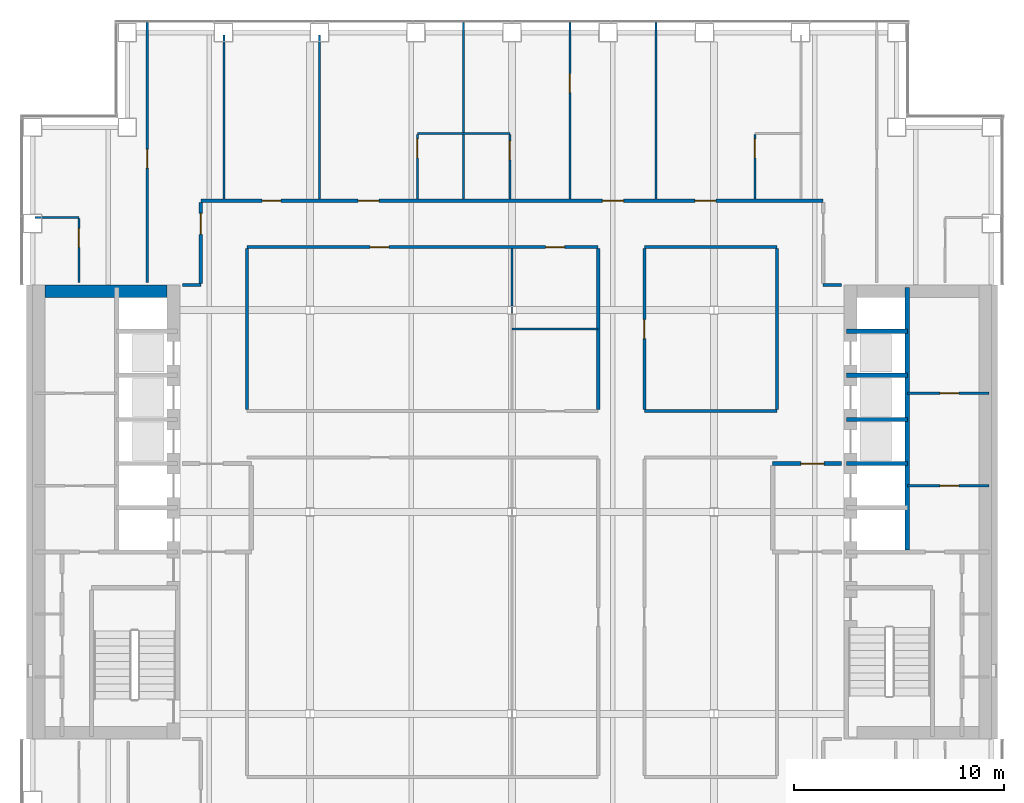
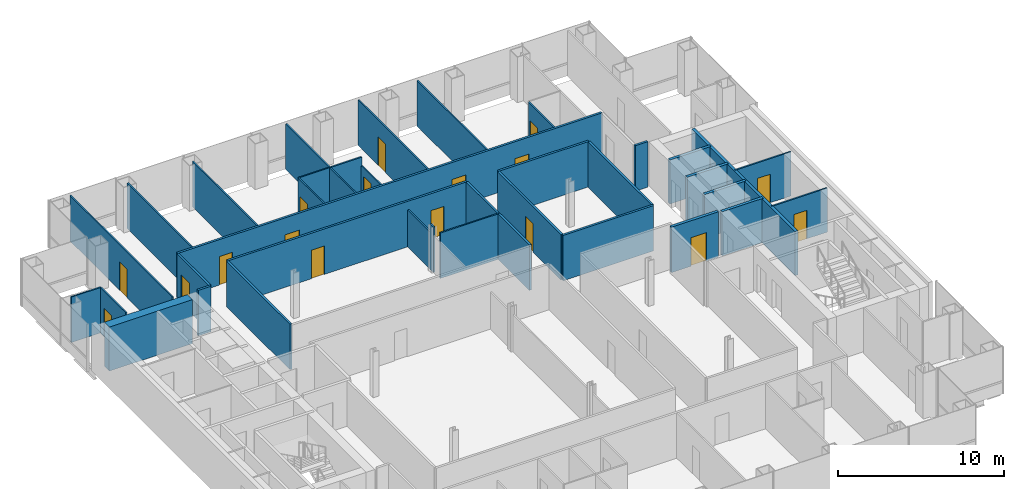
# One storey, part 13 of 16: 36 walls, 17 doors, 17 openings.
"""IFC4 building model written with IfcOpenShell, lengths in metres."""

from ifc_helpers import new_model, si_unit, direction, frame, frame_2d, origin, place, context, subcontext, project, spatial, rectangle, extrude, material, layer, layer_set, type_object, element, fill, save


model = new_model("IFC4")

# Units and contexts
model_context = context("Model", 3, precision=1e-05, world=origin(), true_north=direction((0.0, 1.0)))
body_context = subcontext(model_context, "Body", "Model", "MODEL_VIEW")
ifc_project = project(units=[si_unit("LENGTHUNIT", "METRE"), si_unit("AREAUNIT", "SQUARE_METRE"), si_unit("VOLUMEUNIT", "CUBIC_METRE"), si_unit("PLANEANGLEUNIT", "RADIAN"), si_unit("MASSUNIT", "GRAM", prefix="KILO")], contexts=[model_context])

# Site, building, storey
site_placement = place(None, origin())
site = spatial("IfcSite", under=ifc_project, at=site_placement, CompositionType="ELEMENT")
building_placement = place(site_placement, origin())
building = spatial("IfcBuilding", under=site, at=building_placement, Name="Cobrizo Arcos Hotel Tower", CompositionType="ELEMENT")
storey_placement = place(building_placement, frame((0.0, 0.0, 113.5)))
storey = spatial("IfcBuildingStorey", under=building, at=storey_placement, Name="L28", CompositionType="ELEMENT", Elevation=113.5)

# Walls
ifc_material_1 = material(Name="Gypsum board partition")
ifc_layer_1 = layer(ifc_material_1, 0.14990234375)
ifc_layer_set_1 = layer_set([ifc_layer_1], Name="Corridor wall EI 60 150")
wall_type_1 = type_object("IfcWallType", Name="Corridor wall EI 60 150", PredefinedType="PARTITIONING", material=ifc_layer_set_1)
wall_1_placement = place(storey_placement, frame((6.300048828125, 4.800048828125, 0.0), z_axis=(0.0, 0.0, 1.0), x_axis=(1.0, 0.0, 0.0)))
element("IfcWall", 1, at=wall_1_placement, inside=storey, type_object=wall_type_1, Name="Partition 033", PredefinedType="PARTITIONING", context=body_context, shape_type="SweptSolid", body=[
    extrude(rectangle(XDim=6.300048828125, YDim=0.14990234375, at=frame_2d((3.14990234375, 0.0))), origin(), (0.0, 0.0, 1.0), 3.35009765625),
])
for number, where, z_axis, x_axis, name in (
    (2, (-15.679931640625, 10.800048828125, 0.0), (0.0, 0.0, 1.0), (1.0, 0.0, 0.0), "Partition 041"),
    (3, (14.800048828125, 10.800048828125, 0.0), (0.0, 0.0, 1.0), (1.0, 0.0, 0.0), "Partition 042"),
):
    element("IfcWall", number, at=place(storey_placement, frame(where, z_axis=z_axis, x_axis=x_axis)), inside=storey, type_object=wall_type_1, Name=name, PredefinedType="PARTITIONING", context=body_context, shape_type="SweptSolid", body=[
        extrude(rectangle(XDim=0.8798828125, YDim=0.14990234375, at=frame_2d((0.43994140625, 0.0))), origin(), (0.0, 0.0, 1.0), 3.35009765625),
    ])

# Wall, openings, doors
wall_2_placement = place(storey_placement, frame((-12.60009765625, 12.60009765625, 0.0), z_axis=(0.0, 0.0, 1.0), x_axis=(1.0, 0.0, 0.0)))
wall_2 = element("IfcWall", 4, at=wall_2_placement, inside=storey, type_object=wall_type_1, Name="Partition 043", PredefinedType="PARTITIONING", context=body_context, shape_type="SweptSolid", body=[
    extrude(rectangle(XDim=16.7001953125, YDim=0.14990234375, at=frame_2d((8.35009765625, 0.0))), origin(), (0.0, 0.0, 1.0), 3.35009765625),
])
opening_1_placement = place(wall_2_placement, frame((14.199951171875, 0.0, 0.0)))
opening_1 = element("IfcOpeningElement", 5, at=opening_1_placement, cuts=wall_2, Name="Opening ED-14", PredefinedType="OPENING", context=body_context, shape_type="SweptSolid", body=[
    extrude(rectangle(XDim=0.89990234375, YDim=2.10009765625, at=frame_2d((0.449951171875, 1.050048828125))), frame((0.0, 0.0869140625, 0.0), z_axis=(0.0, -1.0, 0.0), x_axis=(1.0, 0.0, 0.0)), (0.0, 0.0, 1.0), 0.173828125),
])
opening_2_placement = place(wall_2_placement, frame((5.85009765625, 0.0, 0.0)))
opening_2 = element("IfcOpeningElement", 6, at=opening_2_placement, cuts=wall_2, Name="Opening RD-22", PredefinedType="OPENING", context=body_context, shape_type="SweptSolid", body=[
    extrude(rectangle(XDim=0.89990234375, YDim=2.10009765625, at=frame_2d((0.449951171875, 1.050048828125))), frame((0.0, 0.0869140625, 0.0), z_axis=(0.0, -1.0, 0.0), x_axis=(1.0, 0.0, 0.0)), (0.0, 0.0, 1.0), 0.173828125),
])
ifc_material_2 = material(Name="Timber door leaf", Category="wood")
door_type_1 = type_object("IfcDoorType", Name="En-suite door 900x2100", OperationType="SINGLE_SWING_LEFT", PredefinedType="DOOR", material=ifc_material_2)
door_1_placement = place(opening_1_placement, origin())
door_1 = element("IfcDoor", 7, at=door_1_placement, inside=storey, type_object=door_type_1, Name="Door ED-14", OperationType="SINGLE_SWING_LEFT", OverallHeight=2.10009765625, OverallWidth=0.89990234375, PredefinedType="DOOR", context=body_context, shape_type="SweptSolid", body=[
    extrude(rectangle(XDim=0.89990234375, YDim=2.10009765625, at=frame_2d((0.449951171875, 1.050048828125))), frame((0.0, 0.02490234375, 0.0), z_axis=(0.0, -1.0, 0.0), x_axis=(1.0, 0.0, 0.0)), (0.0, 0.0, 1.0), 0.050048828125),
])
fill(opening_1, door_1)
door_type_2 = type_object("IfcDoorType", Name="Room door FD30 900x2100", OperationType="SINGLE_SWING_LEFT", PredefinedType="DOOR", material=ifc_material_2)
door_2_placement = place(opening_2_placement, origin())
door_2 = element("IfcDoor", 8, at=door_2_placement, inside=storey, type_object=door_type_2, Name="Door RD-22", OperationType="SINGLE_SWING_RIGHT", OverallHeight=2.10009765625, OverallWidth=0.89990234375, PredefinedType="DOOR", context=body_context, shape_type="SweptSolid", body=[
    extrude(rectangle(XDim=0.89990234375, YDim=2.10009765625, at=frame_2d((0.449951171875, 1.050048828125))), frame((0.0, 0.02490234375, 0.0), z_axis=(0.0, -1.0, 0.0), x_axis=(1.0, 0.0, 0.0)), (0.0, 0.0, 1.0), 0.050048828125),
])
fill(opening_2, door_2)

# Wall
wall_3_placement = place(storey_placement, frame((6.300048828125, 12.60009765625, 0.0), z_axis=(0.0, 0.0, 1.0), x_axis=(1.0, 0.0, 0.0)))
element("IfcWall", 9, at=wall_3_placement, inside=storey, type_object=wall_type_1, Name="Partition 044", PredefinedType="PARTITIONING", context=body_context, shape_type="SweptSolid", body=[
    extrude(rectangle(XDim=6.300048828125, YDim=0.14990234375, at=frame_2d((3.14990234375, 0.0))), origin(), (0.0, 0.0, 1.0), 3.35009765625),
])

# Wall, openings, doors
wall_4_placement = place(storey_placement, frame((-14.800048828125, 14.800048828125, 0.0), z_axis=(0.0, 0.0, 1.0), x_axis=(1.0, 0.0, 0.0)))
wall_4 = element("IfcWall", 10, at=wall_4_placement, inside=storey, type_object=wall_type_1, Name="Partition 047", PredefinedType="PARTITIONING", context=body_context, shape_type="SweptSolid", body=[
    extrude(rectangle(XDim=29.60009765625, YDim=0.14990234375, at=frame_2d((14.800048828125, 0.0))), origin(), (0.0, 0.0, 1.0), 3.35009765625),
])
opening_3_placement = place(wall_4_placement, frame((2.9130859375, 0.0, 0.0)))
opening_3 = element("IfcOpeningElement", 11, at=opening_3_placement, cuts=wall_4, Name="Opening RD-11", PredefinedType="OPENING", context=body_context, shape_type="SweptSolid", body=[
    extrude(rectangle(XDim=0.89990234375, YDim=2.10009765625, at=frame_2d((0.449951171875, 1.050048828125))), frame((0.0, 0.0869140625, 0.0), z_axis=(0.0, -1.0, 0.0), x_axis=(1.0, 0.0, 0.0)), (0.0, 0.0, 1.0), 0.173828125),
])
opening_4_placement = place(wall_4_placement, frame((7.48095703125, 0.0, 0.0)))
opening_4 = element("IfcOpeningElement", 12, at=opening_4_placement, cuts=wall_4, Name="Opening GD-01", PredefinedType="OPENING", context=body_context, shape_type="SweptSolid", body=[
    extrude(rectangle(XDim=1.0, YDim=2.10009765625, at=frame_2d((0.5, 1.050048828125))), frame((0.0, 0.0869140625, 0.0), z_axis=(0.0, -1.0, 0.0), x_axis=(1.0, 0.0, 0.0)), (0.0, 0.0, 1.0), 0.173828125),
])
opening_5_placement = place(wall_4_placement, frame((19.10400390625, 0.0, 0.0)))
opening_5 = element("IfcOpeningElement", 13, at=opening_5_placement, cuts=wall_4, Name="Opening GD-02", PredefinedType="OPENING", context=body_context, shape_type="SweptSolid", body=[
    extrude(rectangle(XDim=1.0, YDim=2.10009765625, at=frame_2d((0.5, 1.050048828125))), frame((0.0, 0.0869140625, 0.0), z_axis=(0.0, -1.0, 0.0), x_axis=(1.0, 0.0, 0.0)), (0.0, 0.0, 1.0), 0.173828125),
])
opening_6_placement = place(wall_4_placement, frame((23.493896484375, 0.0, 0.0)))
opening_6 = element("IfcOpeningElement", 14, at=opening_6_placement, cuts=wall_4, Name="Opening GD-03", PredefinedType="OPENING", context=body_context, shape_type="SweptSolid", body=[
    extrude(rectangle(XDim=1.0, YDim=2.10009765625, at=frame_2d((0.5, 1.050048828125))), frame((0.0, 0.0869140625, 0.0), z_axis=(0.0, -1.0, 0.0), x_axis=(1.0, 0.0, 0.0)), (0.0, 0.0, 1.0), 0.173828125),
])
door_type_3 = type_object("IfcDoorType", Name="Guest room door FD30S 1000x2100", OperationType="SINGLE_SWING_LEFT", PredefinedType="DOOR", material=ifc_material_2)
door_3_placement = place(opening_4_placement, origin())
door_3 = element("IfcDoor", 15, at=door_3_placement, inside=storey, type_object=door_type_3, Name="Door GD-01", OperationType="SINGLE_SWING_LEFT", OverallHeight=2.10009765625, OverallWidth=1.0, PredefinedType="DOOR", context=body_context, shape_type="SweptSolid", body=[
    extrude(rectangle(XDim=1.0, YDim=2.10009765625, at=frame_2d((0.5, 1.050048828125))), frame((0.0, 0.02490234375, 0.0), z_axis=(0.0, -1.0, 0.0), x_axis=(1.0, 0.0, 0.0)), (0.0, 0.0, 1.0), 0.050048828125),
])
fill(opening_4, door_3)
door_4_placement = place(opening_5_placement, origin())
door_4 = element("IfcDoor", 16, at=door_4_placement, inside=storey, type_object=door_type_3, Name="Door GD-02", OperationType="SINGLE_SWING_RIGHT", OverallHeight=2.10009765625, OverallWidth=1.0, PredefinedType="DOOR", context=body_context, shape_type="SweptSolid", body=[
    extrude(rectangle(XDim=1.0, YDim=2.10009765625, at=frame_2d((0.5, 1.050048828125))), frame((0.0, 0.02490234375, 0.0), z_axis=(0.0, -1.0, 0.0), x_axis=(1.0, 0.0, 0.0)), (0.0, 0.0, 1.0), 0.050048828125),
])
fill(opening_5, door_4)
door_5_placement = place(opening_6_placement, origin())
door_5 = element("IfcDoor", 17, at=door_5_placement, inside=storey, type_object=door_type_3, Name="Door GD-03", OperationType="SINGLE_SWING_RIGHT", OverallHeight=2.10009765625, OverallWidth=1.0, PredefinedType="DOOR", context=body_context, shape_type="SweptSolid", body=[
    extrude(rectangle(XDim=1.0, YDim=2.10009765625, at=frame_2d((0.5, 1.050048828125))), frame((0.0, 0.02490234375, 0.0), z_axis=(0.0, -1.0, 0.0), x_axis=(1.0, 0.0, 0.0)), (0.0, 0.0, 1.0), 0.050048828125),
])
fill(opening_6, door_5)
door_6_placement = place(opening_3_placement, origin())
door_6 = element("IfcDoor", 18, at=door_6_placement, inside=storey, type_object=door_type_2, Name="Door RD-11", OperationType="SINGLE_SWING_RIGHT", OverallHeight=2.10009765625, OverallWidth=0.89990234375, PredefinedType="DOOR", context=body_context, shape_type="SweptSolid", body=[
    extrude(rectangle(XDim=0.89990234375, YDim=2.10009765625, at=frame_2d((0.449951171875, 1.050048828125))), frame((0.0, 0.02490234375, 0.0), z_axis=(0.0, -1.0, 0.0), x_axis=(1.0, 0.0, 0.0)), (0.0, 0.0, 1.0), 0.050048828125),
])
fill(opening_3, door_6)

# Wall, opening, door
wall_5_placement = place(storey_placement, frame((-14.800048828125, 10.875, 0.0), z_axis=(0.0, 0.0, 1.0), x_axis=(0.0, 1.0, 0.0)))
wall_5 = element("IfcWall", 19, at=wall_5_placement, inside=storey, type_object=wall_type_1, Name="Partition 058", PredefinedType="PARTITIONING", context=body_context, shape_type="SweptSolid", body=[
    extrude(rectangle(XDim=3.85009765625, YDim=0.14990234375, at=frame_2d((1.925048828125, 0.0))), origin(), (0.0, 0.0, 1.0), 3.35009765625),
])
opening_7_placement = place(wall_5_placement, frame((2.324951171875, 0.0, 0.0)))
opening_7 = element("IfcOpeningElement", 20, at=opening_7_placement, cuts=wall_5, Name="Opening GD-08", PredefinedType="OPENING", context=body_context, shape_type="SweptSolid", body=[
    extrude(rectangle(XDim=1.0, YDim=2.10009765625, at=frame_2d((0.5, 1.050048828125))), frame((0.0, 0.0869140625, 0.0), z_axis=(0.0, -1.0, 0.0), x_axis=(1.0, 0.0, 0.0)), (0.0, 0.0, 1.0), 0.173828125),
])
door_7_placement = place(opening_7_placement, origin())
door_7 = element("IfcDoor", 21, at=door_7_placement, inside=storey, type_object=door_type_3, Name="Door GD-08", OperationType="SINGLE_SWING_LEFT", OverallHeight=2.10009765625, OverallWidth=1.0, PredefinedType="DOOR", context=body_context, shape_type="SweptSolid", body=[
    extrude(rectangle(XDim=1.0, YDim=2.10009765625, at=frame_2d((0.5, 1.050048828125))), frame((0.0, 0.02490234375, 0.0), z_axis=(0.0, -1.0, 0.0), x_axis=(1.0, 0.0, 0.0)), (0.0, 0.0, 1.0), 0.050048828125),
])
fill(opening_7, door_7)

# Walls
for number, where, z_axis, x_axis, name in (
    (22, (-12.60009765625, 4.875, 0.0), (0.0, 0.0, 1.0), (0.0, 1.0, 0.0), "Partition 062"),
    (23, (4.10009765625, 4.875, 0.0), (0.0, 0.0, 1.0), (0.0, 1.0, 0.0), "Partition 086"),
):
    element("IfcWall", number, at=place(storey_placement, frame(where, z_axis=z_axis, x_axis=x_axis)), inside=storey, type_object=wall_type_1, Name=name, PredefinedType="PARTITIONING", context=body_context, shape_type="SweptSolid", body=[
        extrude(rectangle(XDim=7.64990234375, YDim=0.14990234375, at=frame_2d((3.824951171875, 0.0))), origin(), (0.0, 0.0, 1.0), 3.35009765625),
    ])

# Wall, opening, door
wall_6_placement = place(storey_placement, frame((6.300048828125, 4.875, 0.0), z_axis=(0.0, 0.0, 1.0), x_axis=(0.0, 1.0, 0.0)))
wall_6 = element("IfcWall", 24, at=wall_6_placement, inside=storey, type_object=wall_type_1, Name="Partition 088", PredefinedType="PARTITIONING", context=body_context, shape_type="SweptSolid", body=[
    extrude(rectangle(XDim=7.64990234375, YDim=0.14990234375, at=frame_2d((3.824951171875, 0.0))), origin(), (0.0, 0.0, 1.0), 3.35009765625),
])
opening_8_placement = place(wall_6_placement, frame((3.375, 0.0, 0.0)))
opening_8 = element("IfcOpeningElement", 25, at=opening_8_placement, cuts=wall_6, Name="Opening RD-19", PredefinedType="OPENING", context=body_context, shape_type="SweptSolid", body=[
    extrude(rectangle(XDim=0.89990234375, YDim=2.10009765625, at=frame_2d((0.449951171875, 1.050048828125))), frame((0.0, 0.0869140625, 0.0), z_axis=(0.0, -1.0, 0.0), x_axis=(1.0, 0.0, 0.0)), (0.0, 0.0, 1.0), 0.173828125),
])
door_8_placement = place(opening_8_placement, origin())
door_8 = element("IfcDoor", 26, at=door_8_placement, inside=storey, type_object=door_type_2, Name="Door RD-19", OperationType="SINGLE_SWING_RIGHT", OverallHeight=2.10009765625, OverallWidth=0.89990234375, PredefinedType="DOOR", context=body_context, shape_type="SweptSolid", body=[
    extrude(rectangle(XDim=0.89990234375, YDim=2.10009765625, at=frame_2d((0.449951171875, 1.050048828125))), frame((0.0, 0.02490234375, 0.0), z_axis=(0.0, -1.0, 0.0), x_axis=(1.0, 0.0, 0.0)), (0.0, 0.0, 1.0), 0.050048828125),
])
fill(opening_8, door_8)

# Wall
wall_7_placement = place(storey_placement, frame((12.60009765625, 4.875, 0.0), z_axis=(0.0, 0.0, 1.0), x_axis=(0.0, 1.0, 0.0)))
element("IfcWall", 27, at=wall_7_placement, inside=storey, type_object=wall_type_1, Name="Partition 095", PredefinedType="PARTITIONING", context=body_context, shape_type="SweptSolid", body=[
    extrude(rectangle(XDim=7.64990234375, YDim=0.14990234375, at=frame_2d((3.824951171875, 0.0))), origin(), (0.0, 0.0, 1.0), 3.35009765625),
])

# Wall, opening, door
ifc_layer_2 = layer(ifc_material_1, 0.10009765625)
ifc_layer_set_2 = layer_set([ifc_layer_2], Name="Partition EI 30 100")
wall_type_2 = type_object("IfcWallType", Name="Partition EI 30 100", PredefinedType="PARTITIONING", material=ifc_layer_set_2)
wall_8_placement = place(storey_placement, frame((18.800048828125, 1.25, 0.0), z_axis=(0.0, 0.0, 1.0), x_axis=(1.0, 0.0, 0.0)))
wall_8 = element("IfcWall", 28, at=wall_8_placement, inside=storey, type_object=wall_type_2, Name="Partition 023", PredefinedType="PARTITIONING", context=body_context, shape_type="SweptSolid", body=[
    extrude(rectangle(XDim=3.8798828125, YDim=0.10009765625, at=frame_2d((1.93994140625, 0.0))), origin(), (0.0, 0.0, 1.0), 3.25),
])
opening_9_placement = place(wall_8_placement, frame((1.550048828125, 0.0, 0.0)))
opening_9 = element("IfcOpeningElement", 29, at=opening_9_placement, cuts=wall_8, Name="Opening RD-09", PredefinedType="OPENING", context=body_context, shape_type="SweptSolid", body=[
    extrude(rectangle(XDim=0.89990234375, YDim=2.10009765625, at=frame_2d((0.449951171875, 1.050048828125))), frame((0.0, 0.06201171875, 0.0), z_axis=(0.0, -1.0, 0.0), x_axis=(1.0, 0.0, 0.0)), (0.0, 0.0, 1.0), 0.1240234375),
])
door_9_placement = place(opening_9_placement, origin())
door_9 = element("IfcDoor", 30, at=door_9_placement, inside=storey, type_object=door_type_2, Name="Door RD-09", OperationType="SINGLE_SWING_RIGHT", OverallHeight=2.10009765625, OverallWidth=0.89990234375, PredefinedType="DOOR", context=body_context, shape_type="SweptSolid", body=[
    extrude(rectangle(XDim=0.89990234375, YDim=2.10009765625, at=frame_2d((0.449951171875, 1.050048828125))), frame((0.0, 0.02490234375, 0.0), z_axis=(0.0, -1.0, 0.0), x_axis=(1.0, 0.0, 0.0)), (0.0, 0.0, 1.0), 0.050048828125),
])
fill(opening_9, door_9)

wall_9_placement = place(storey_placement, frame((18.800048828125, 5.64990234375, 0.0), z_axis=(0.0, 0.0, 1.0), x_axis=(1.0, 0.0, 0.0)))
wall_9 = element("IfcWall", 31, at=wall_9_placement, inside=storey, type_object=wall_type_2, Name="Partition 035", PredefinedType="PARTITIONING", context=body_context, shape_type="SweptSolid", body=[
    extrude(rectangle(XDim=3.8798828125, YDim=0.10009765625, at=frame_2d((1.93994140625, 0.0))), origin(), (0.0, 0.0, 1.0), 3.25),
])
opening_10_placement = place(wall_9_placement, frame((1.550048828125, 0.0, 0.0)))
opening_10 = element("IfcOpeningElement", 32, at=opening_10_placement, cuts=wall_9, Name="Opening RD-10", PredefinedType="OPENING", context=body_context, shape_type="SweptSolid", body=[
    extrude(rectangle(XDim=0.89990234375, YDim=2.10009765625, at=frame_2d((0.449951171875, 1.050048828125))), frame((0.0, 0.06201171875, 0.0), z_axis=(0.0, -1.0, 0.0), x_axis=(1.0, 0.0, 0.0)), (0.0, 0.0, 1.0), 0.1240234375),
])
door_10_placement = place(opening_10_placement, origin())
door_10 = element("IfcDoor", 33, at=door_10_placement, inside=storey, type_object=door_type_2, Name="Door RD-10", OperationType="SINGLE_SWING_LEFT", OverallHeight=2.10009765625, OverallWidth=0.89990234375, PredefinedType="DOOR", context=body_context, shape_type="SweptSolid", body=[
    extrude(rectangle(XDim=0.89990234375, YDim=2.10009765625, at=frame_2d((0.449951171875, 1.050048828125))), frame((0.0, 0.02490234375, 0.0), z_axis=(0.0, -1.0, 0.0), x_axis=(1.0, 0.0, 0.0)), (0.0, 0.0, 1.0), 0.050048828125),
])
fill(opening_10, door_10)

# Walls
wall_10_placement = place(storey_placement, frame((0.0, 8.699951171875, 0.0), z_axis=(0.0, 0.0, 1.0), x_axis=(1.0, 0.0, 0.0)))
element("IfcWall", 34, at=wall_10_placement, inside=storey, type_object=wall_type_2, Name="Partition 040", PredefinedType="PARTITIONING", context=body_context, shape_type="SweptSolid", body=[
    extrude(rectangle(XDim=4.10009765625, YDim=0.10009765625, at=frame_2d((2.050048828125, 0.0))), origin(), (0.0, 0.0, 1.0), 3.35009765625),
])
wall_11_placement = place(storey_placement, frame((-22.679931640625, 14.0, 0.0), z_axis=(0.0, 0.0, 1.0), x_axis=(1.0, 0.0, 0.0)))
element("IfcWall", 35, at=wall_11_placement, inside=storey, type_object=wall_type_2, Name="Partition 045", PredefinedType="PARTITIONING", context=body_context, shape_type="SweptSolid", body=[
    extrude(rectangle(XDim=2.079833984375, YDim=0.10009765625, at=frame_2d((1.0400390625, 0.0))), origin(), (0.0, 0.0, 1.0), 3.35009765625),
])
wall_12_placement = place(storey_placement, frame((-4.5, 18.0, 0.0), z_axis=(0.0, 0.0, 1.0), x_axis=(1.0, 0.0, 0.0)))
element("IfcWall", 36, at=wall_12_placement, inside=storey, type_object=wall_type_2, Name="Partition 048", PredefinedType="PARTITIONING", context=body_context, shape_type="SweptSolid", body=[
    extrude(rectangle(XDim=4.39990234375, YDim=0.10009765625, at=frame_2d((2.199951171875, 0.0))), origin(), (0.0, 0.0, 1.0), 3.35009765625),
])

# Wall, opening, door
wall_13_placement = place(storey_placement, frame((-20.60009765625, 10.919921875, 0.0), z_axis=(0.0, 0.0, 1.0), x_axis=(0.0, 1.0, 0.0)))
wall_13 = element("IfcWall", 37, at=wall_13_placement, inside=storey, type_object=wall_type_2, Name="Partition 052", PredefinedType="PARTITIONING", context=body_context, shape_type="SweptSolid", body=[
    extrude(rectangle(XDim=3.030029296875, YDim=0.10009765625, at=frame_2d((1.51513671875, 0.0))), origin(), (0.0, 0.0, 1.0), 3.35009765625),
])
opening_11_placement = place(wall_13_placement, frame((1.669921875, 0.0, 0.0)))
opening_11 = element("IfcOpeningElement", 38, at=opening_11_placement, cuts=wall_13, Name="Opening ED-10", PredefinedType="OPENING", context=body_context, shape_type="SweptSolid", body=[
    extrude(rectangle(XDim=0.89990234375, YDim=2.10009765625, at=frame_2d((0.449951171875, 1.050048828125))), frame((0.0, 0.06201171875, 0.0), z_axis=(0.0, -1.0, 0.0), x_axis=(1.0, 0.0, 0.0)), (0.0, 0.0, 1.0), 0.1240234375),
])
door_11_placement = place(opening_11_placement, origin())
door_11 = element("IfcDoor", 39, at=door_11_placement, inside=storey, type_object=door_type_1, Name="Door ED-10", OperationType="SINGLE_SWING_RIGHT", OverallHeight=2.10009765625, OverallWidth=0.89990234375, PredefinedType="DOOR", context=body_context, shape_type="SweptSolid", body=[
    extrude(rectangle(XDim=0.89990234375, YDim=2.10009765625, at=frame_2d((0.449951171875, 1.050048828125))), frame((0.0, 0.02490234375, 0.0), z_axis=(0.0, -1.0, 0.0), x_axis=(1.0, 0.0, 0.0)), (0.0, 0.0, 1.0), 0.050048828125),
])
fill(opening_11, door_11)

wall_14_placement = place(storey_placement, frame((-17.35009765625, 10.919921875, 0.0), z_axis=(0.0, 0.0, 1.0), x_axis=(0.0, 1.0, 0.0)))
wall_14 = element("IfcWall", 40, at=wall_14_placement, inside=storey, type_object=wall_type_2, Name="Partition 056", PredefinedType="PARTITIONING", context=body_context, shape_type="SweptSolid", body=[
    extrude(rectangle(XDim=12.360107421875, YDim=0.10009765625, at=frame_2d((6.18017578125, 0.0))), origin(), (0.0, 0.0, 1.0), 3.35009765625),
])
opening_12_placement = place(wall_14_placement, frame((5.429931640625, 0.0, 0.0)))
opening_12 = element("IfcOpeningElement", 41, at=opening_12_placement, cuts=wall_14, Name="Opening RD-16", PredefinedType="OPENING", context=body_context, shape_type="SweptSolid", body=[
    extrude(rectangle(XDim=0.89990234375, YDim=2.10009765625, at=frame_2d((0.449951171875, 1.050048828125))), frame((0.0, 0.06201171875, 0.0), z_axis=(0.0, -1.0, 0.0), x_axis=(1.0, 0.0, 0.0)), (0.0, 0.0, 1.0), 0.1240234375),
])
door_12_placement = place(opening_12_placement, origin())
door_12 = element("IfcDoor", 42, at=door_12_placement, inside=storey, type_object=door_type_2, Name="Door RD-16", OperationType="SINGLE_SWING_RIGHT", OverallHeight=2.10009765625, OverallWidth=0.89990234375, PredefinedType="DOOR", context=body_context, shape_type="SweptSolid", body=[
    extrude(rectangle(XDim=0.89990234375, YDim=2.10009765625, at=frame_2d((0.449951171875, 1.050048828125))), frame((0.0, 0.02490234375, 0.0), z_axis=(0.0, -1.0, 0.0), x_axis=(1.0, 0.0, 0.0)), (0.0, 0.0, 1.0), 0.050048828125),
])
fill(opening_12, door_12)

# Walls
for number, where, z_axis, x_axis, name in (
    (43, (-13.699951171875, 14.875, 0.0), (0.0, 0.0, 1.0), (0.0, 1.0, 0.0), "Partition 060"),
    (44, (-9.14990234375, 14.875, 0.0), (0.0, 0.0, 1.0), (0.0, 1.0, 0.0), "Partition 066"),
):
    element("IfcWall", number, at=place(storey_placement, frame(where, z_axis=z_axis, x_axis=x_axis)), inside=storey, type_object=wall_type_2, Name=name, PredefinedType="PARTITIONING", context=body_context, shape_type="SweptSolid", body=[
        extrude(rectangle(XDim=7.804931640625, YDim=0.10009765625, at=frame_2d((3.90234375, 0.0))), origin(), (0.0, 0.0, 1.0), 3.35009765625),
    ])

# Wall, opening, door
wall_15_placement = place(storey_placement, frame((-4.5, 14.875, 0.0), z_axis=(0.0, 0.0, 1.0), x_axis=(0.0, 1.0, 0.0)))
wall_15 = element("IfcWall", 45, at=wall_15_placement, inside=storey, type_object=wall_type_2, Name="Partition 070", PredefinedType="PARTITIONING", context=body_context, shape_type="SweptSolid", body=[
    extrude(rectangle(XDim=3.074951171875, YDim=0.10009765625, at=frame_2d((1.53759765625, 0.0))), origin(), (0.0, 0.0, 1.0), 3.35009765625),
])
opening_13_placement = place(wall_15_placement, frame((1.970947265625, 0.0, 0.0)))
opening_13 = element("IfcOpeningElement", 46, at=opening_13_placement, cuts=wall_15, Name="Opening ED-03", PredefinedType="OPENING", context=body_context, shape_type="SweptSolid", body=[
    extrude(rectangle(XDim=0.89990234375, YDim=2.10009765625, at=frame_2d((0.449951171875, 1.050048828125))), frame((0.0, 0.06201171875, 0.0), z_axis=(0.0, -1.0, 0.0), x_axis=(1.0, 0.0, 0.0)), (0.0, 0.0, 1.0), 0.1240234375),
])
door_13_placement = place(opening_13_placement, origin())
door_13 = element("IfcDoor", 47, at=door_13_placement, inside=storey, type_object=door_type_1, Name="Door ED-03", OperationType="SINGLE_SWING_LEFT", OverallHeight=2.10009765625, OverallWidth=0.89990234375, PredefinedType="DOOR", context=body_context, shape_type="SweptSolid", body=[
    extrude(rectangle(XDim=0.89990234375, YDim=2.10009765625, at=frame_2d((0.449951171875, 1.050048828125))), frame((0.0, 0.02490234375, 0.0), z_axis=(0.0, -1.0, 0.0), x_axis=(1.0, 0.0, 0.0)), (0.0, 0.0, 1.0), 0.050048828125),
])
fill(opening_13, door_13)

# Walls
wall_16_placement = place(storey_placement, frame((-2.300048828125, 14.875, 0.0), z_axis=(0.0, 0.0, 1.0), x_axis=(0.0, 1.0, 0.0)))
element("IfcWall", 48, at=wall_16_placement, inside=storey, type_object=wall_type_2, Name="Partition 072", PredefinedType="PARTITIONING", context=body_context, shape_type="SweptSolid", body=[
    extrude(rectangle(XDim=3.074951171875, YDim=0.10009765625, at=frame_2d((1.53759765625, 0.0))), origin(), (0.0, 0.0, 1.0), 3.35009765625),
])
wall_17_placement = place(storey_placement, frame((-2.300048828125, 18.050048828125, 0.0), z_axis=(0.0, 0.0, 1.0), x_axis=(0.0, 1.0, 0.0)))
element("IfcWall", 49, at=wall_17_placement, inside=storey, type_object=wall_type_2, Name="Partition 073", PredefinedType="PARTITIONING", context=body_context, shape_type="SweptSolid", body=[
    extrude(rectangle(XDim=5.22998046875, YDim=0.10009765625, at=frame_2d((2.614990234375, 0.0))), origin(), (0.0, 0.0, 1.0), 3.35009765625),
])

# Wall, opening, door
wall_18_placement = place(storey_placement, frame((-0.10009765625, 14.875, 0.0), z_axis=(0.0, 0.0, 1.0), x_axis=(0.0, 1.0, 0.0)))
wall_18 = element("IfcWall", 50, at=wall_18_placement, inside=storey, type_object=wall_type_2, Name="Partition 074", PredefinedType="PARTITIONING", context=body_context, shape_type="SweptSolid", body=[
    extrude(rectangle(XDim=3.074951171875, YDim=0.10009765625, at=frame_2d((1.53759765625, 0.0))), origin(), (0.0, 0.0, 1.0), 2.72802734375),
])
opening_14_placement = place(wall_18_placement, frame((1.875, 0.0, 0.0)))
opening_14 = element("IfcOpeningElement", 51, at=opening_14_placement, cuts=wall_18, Name="Opening ED-04", PredefinedType="OPENING", context=body_context, shape_type="SweptSolid", body=[
    extrude(rectangle(XDim=0.89990234375, YDim=2.10009765625, at=frame_2d((0.449951171875, 1.050048828125))), frame((0.0, 0.06201171875, 0.0), z_axis=(0.0, -1.0, 0.0), x_axis=(1.0, 0.0, 0.0)), (0.0, 0.0, 1.0), 0.1240234375),
])
door_14_placement = place(opening_14_placement, origin())
door_14 = element("IfcDoor", 52, at=door_14_placement, inside=storey, type_object=door_type_1, Name="Door ED-04", OperationType="SINGLE_SWING_LEFT", OverallHeight=2.10009765625, OverallWidth=0.89990234375, PredefinedType="DOOR", context=body_context, shape_type="SweptSolid", body=[
    extrude(rectangle(XDim=0.89990234375, YDim=2.10009765625, at=frame_2d((0.449951171875, 1.050048828125))), frame((0.0, 0.02490234375, 0.0), z_axis=(0.0, -1.0, 0.0), x_axis=(1.0, 0.0, 0.0)), (0.0, 0.0, 1.0), 0.050048828125),
])
fill(opening_14, door_14)

# Walls
wall_19_placement = place(storey_placement, frame((0.0, 9.40087890625, 0.0), z_axis=(0.0, 0.0, 1.0), x_axis=(0.0, 1.0, 0.0)))
element("IfcWall", 53, at=wall_19_placement, inside=storey, type_object=wall_type_2, Name="Partition 081", PredefinedType="PARTITIONING", context=body_context, shape_type="SweptSolid", body=[
    extrude(rectangle(XDim=0.398193359375, YDim=0.10009765625, at=frame_2d((0.19921875, 0.0))), origin(), (0.0, 0.0, 1.0), 3.35009765625),
])
wall_20_placement = place(storey_placement, frame((0.0, 9.799072265625, 0.0), z_axis=(0.0, 0.0, 1.0), x_axis=(0.0, 1.0, 0.0)))
element("IfcWall", 54, at=wall_20_placement, inside=storey, type_object=wall_type_2, Name="Partition 082", PredefinedType="PARTITIONING", context=body_context, shape_type="SweptSolid", body=[
    extrude(rectangle(XDim=2.725830078125, YDim=0.10009765625, at=frame_2d((1.36279296875, 0.0))), origin(), (0.0, 0.0, 1.0), 2.72802734375),
])

# Wall, opening, door
wall_21_placement = place(storey_placement, frame((2.75, 14.875, 0.0), z_axis=(0.0, 0.0, 1.0), x_axis=(0.0, 1.0, 0.0)))
wall_21 = element("IfcWall", 55, at=wall_21_placement, inside=storey, type_object=wall_type_2, Name="Partition 083", PredefinedType="PARTITIONING", context=body_context, shape_type="SweptSolid", body=[
    extrude(rectangle(XDim=8.405029296875, YDim=0.10009765625, at=frame_2d((4.20263671875, 0.0))), origin(), (0.0, 0.0, 1.0), 3.35009765625),
])
opening_15_placement = place(wall_21_placement, frame((5.074951171875, 0.0, 0.0)))
opening_15 = element("IfcOpeningElement", 56, at=opening_15_placement, cuts=wall_21, Name="Opening RD-12", PredefinedType="OPENING", context=body_context, shape_type="SweptSolid", body=[
    extrude(rectangle(XDim=0.89990234375, YDim=2.10009765625, at=frame_2d((0.449951171875, 1.050048828125))), frame((0.0, 0.06201171875, 0.0), z_axis=(0.0, -1.0, 0.0), x_axis=(1.0, 0.0, 0.0)), (0.0, 0.0, 1.0), 0.1240234375),
])
door_15_placement = place(opening_15_placement, origin())
door_15 = element("IfcDoor", 57, at=door_15_placement, inside=storey, type_object=door_type_2, Name="Door RD-12", OperationType="SINGLE_SWING_LEFT", OverallHeight=2.10009765625, OverallWidth=0.89990234375, PredefinedType="DOOR", context=body_context, shape_type="SweptSolid", body=[
    extrude(rectangle(XDim=0.89990234375, YDim=2.10009765625, at=frame_2d((0.449951171875, 1.050048828125))), frame((0.0, 0.02490234375, 0.0), z_axis=(0.0, -1.0, 0.0), x_axis=(1.0, 0.0, 0.0)), (0.0, 0.0, 1.0), 0.050048828125),
])
fill(opening_15, door_15)

# Wall
wall_22_placement = place(storey_placement, frame((6.85009765625, 14.875, 0.0), z_axis=(0.0, 0.0, 1.0), x_axis=(0.0, 1.0, 0.0)))
element("IfcWall", 58, at=wall_22_placement, inside=storey, type_object=wall_type_2, Name="Partition 089", PredefinedType="PARTITIONING", context=body_context, shape_type="SweptSolid", body=[
    extrude(rectangle(XDim=8.405029296875, YDim=0.10009765625, at=frame_2d((4.20263671875, 0.0))), origin(), (0.0, 0.0, 1.0), 3.35009765625),
])

# Wall, opening, door
wall_23_placement = place(storey_placement, frame((11.550048828125, 14.875, 0.0), z_axis=(0.0, 0.0, 1.0), x_axis=(0.0, 1.0, 0.0)))
wall_23 = element("IfcWall", 59, at=wall_23_placement, inside=storey, type_object=wall_type_2, Name="Partition 092", PredefinedType="PARTITIONING", context=body_context, shape_type="SweptSolid", body=[
    extrude(rectangle(XDim=3.074951171875, YDim=0.10009765625, at=frame_2d((1.53759765625, 0.0))), origin(), (0.0, 0.0, 1.0), 3.35009765625),
])
opening_16_placement = place(wall_23_placement, frame((1.970947265625, 0.0, 0.0)))
opening_16 = element("IfcOpeningElement", 60, at=opening_16_placement, cuts=wall_23, Name="Opening ED-05", PredefinedType="OPENING", context=body_context, shape_type="SweptSolid", body=[
    extrude(rectangle(XDim=0.89990234375, YDim=2.10009765625, at=frame_2d((0.449951171875, 1.050048828125))), frame((0.0, 0.06201171875, 0.0), z_axis=(0.0, -1.0, 0.0), x_axis=(1.0, 0.0, 0.0)), (0.0, 0.0, 1.0), 0.1240234375),
])
door_16_placement = place(opening_16_placement, origin())
door_16 = element("IfcDoor", 61, at=door_16_placement, inside=storey, type_object=door_type_1, Name="Door ED-05", OperationType="SINGLE_SWING_LEFT", OverallHeight=2.10009765625, OverallWidth=0.89990234375, PredefinedType="DOOR", context=body_context, shape_type="SweptSolid", body=[
    extrude(rectangle(XDim=0.89990234375, YDim=2.10009765625, at=frame_2d((0.449951171875, 1.050048828125))), frame((0.0, 0.02490234375, 0.0), z_axis=(0.0, -1.0, 0.0), x_axis=(1.0, 0.0, 0.0)), (0.0, 0.0, 1.0), 0.050048828125),
])
fill(opening_16, door_16)

# Wall
ifc_material_3 = material(Name="Concrete f'c 50 MPa", Category="concrete")
ifc_layer_3 = layer(ifc_material_3, 0.60009765625)
ifc_layer_set_3 = layer_set([ifc_layer_3], Name="RC core wall 600 f'c 50")
wall_type_3 = type_object("IfcWallType", Name="RC core wall 600 f'c 50", PredefinedType="SHEAR", material=ifc_layer_set_3)
wall_24_placement = place(storey_placement, frame((-22.199951171875, 10.5, 0.0), z_axis=(0.0, 0.0, 1.0), x_axis=(1.0, 0.0, 0.0)))
element("IfcWall", 62, at=wall_24_placement, inside=storey, type_object=wall_type_3, Name="Core wall CW2, west core, north end, L28", PredefinedType="SHEAR", context=body_context, shape_type="SweptSolid", body=[
    extrude(rectangle(XDim=5.800048828125, YDim=0.60009765625, at=frame_2d((2.89990234375, 0.0))), origin(), (0.0, 0.0, 1.0), 3.25),
])

# Wall, opening, door
ifc_layer_4 = layer(ifc_material_1, 0.199951171875)
ifc_layer_set_4 = layer_set([ifc_layer_4], Name="Shaft wall EI 120 200")
wall_type_4 = type_object("IfcWallType", Name="Shaft wall EI 120 200", PredefinedType="PARTITIONING", material=ifc_layer_set_4)
wall_25_placement = place(storey_placement, frame((12.39990234375, 2.300048828125, 0.0), z_axis=(0.0, 0.0, 1.0), x_axis=(1.0, 0.0, 0.0)))
wall_25 = element("IfcWall", 63, at=wall_25_placement, inside=storey, type_object=wall_type_4, Name="Partition 026", PredefinedType="PARTITIONING", context=body_context, shape_type="SweptSolid", body=[
    extrude(rectangle(XDim=3.280029296875, YDim=0.199951171875, at=frame_2d((1.64013671875, 0.0))), origin(), (0.0, 0.0, 1.0), 3.35009765625),
])
opening_17_placement = place(wall_25_placement, frame((1.340087890625, 0.0, 0.0)))
opening_17 = element("IfcOpeningElement", 64, at=opening_17_placement, cuts=wall_25, Name="Opening FD-06", PredefinedType="OPENING", context=body_context, shape_type="SweptSolid", body=[
    extrude(rectangle(XDim=1.10009765625, YDim=2.10009765625, at=frame_2d((0.550048828125, 1.050048828125))), frame((0.0, 0.112060546875, 0.0), z_axis=(0.0, -1.0, 0.0), x_axis=(1.0, 0.0, 0.0)), (0.0, 0.0, 1.0), 0.223876953125),
])
ifc_material_4 = material(Name="Steel door leaf", Category="steel")
door_type_4 = type_object("IfcDoorType", Name="Fire door FD60 1100x2100", OperationType="SINGLE_SWING_LEFT", PredefinedType="DOOR", material=ifc_material_4)
door_17_placement = place(opening_17_placement, origin())
door_17 = element("IfcDoor", 65, at=door_17_placement, inside=storey, type_object=door_type_4, Name="Door FD-06", OperationType="SINGLE_SWING_LEFT", OverallHeight=2.10009765625, OverallWidth=1.10009765625, PredefinedType="DOOR", context=body_context, shape_type="SweptSolid", body=[
    extrude(rectangle(XDim=1.10009765625, YDim=2.10009765625, at=frame_2d((0.550048828125, 1.050048828125))), frame((0.0, 0.02490234375, 0.0), z_axis=(0.0, -1.0, 0.0), x_axis=(1.0, 0.0, 0.0)), (0.0, 0.0, 1.0), 0.050048828125),
])
fill(opening_17, door_17)

# Walls
for number, where, z_axis, x_axis, name in (
    (66, (15.919921875, 2.300048828125, 0.0), (0.0, 0.0, 1.0), (1.0, 0.0, 0.0), "Partition 027"),
    (67, (15.919921875, 4.39990234375, 0.0), (0.0, 0.0, 1.0), (1.0, 0.0, 0.0), "Partition 031"),
    (68, (15.919921875, 6.5, 0.0), (0.0, 0.0, 1.0), (1.0, 0.0, 0.0), "Partition 037"),
    (69, (15.919921875, 8.60009765625, 0.0), (0.0, 0.0, 1.0), (1.0, 0.0, 0.0), "Partition 039"),
):
    element("IfcWall", number, at=place(storey_placement, frame(where, z_axis=z_axis, x_axis=x_axis)), inside=storey, type_object=wall_type_4, Name=name, PredefinedType="PARTITIONING", context=body_context, shape_type="SweptSolid", body=[
        extrude(rectangle(XDim=2.880126953125, YDim=0.199951171875, at=frame_2d((1.43994140625, 0.0))), origin(), (0.0, 0.0, 1.0), 3.25),
    ])
wall_26_placement = place(storey_placement, frame((18.800048828125, -1.800048828125, 0.0), z_axis=(0.0, 0.0, 1.0), x_axis=(0.0, 1.0, 0.0)))
element("IfcWall", 70, at=wall_26_placement, inside=storey, type_object=wall_type_4, Name="Partition 102", PredefinedType="PARTITIONING", context=body_context, shape_type="SweptSolid", body=[
    extrude(rectangle(XDim=12.47998046875, YDim=0.199951171875, at=frame_2d((6.239990234375, 0.0))), origin(), (0.0, 0.0, 1.0), 3.25),
])

save(model, "model.ifc")
